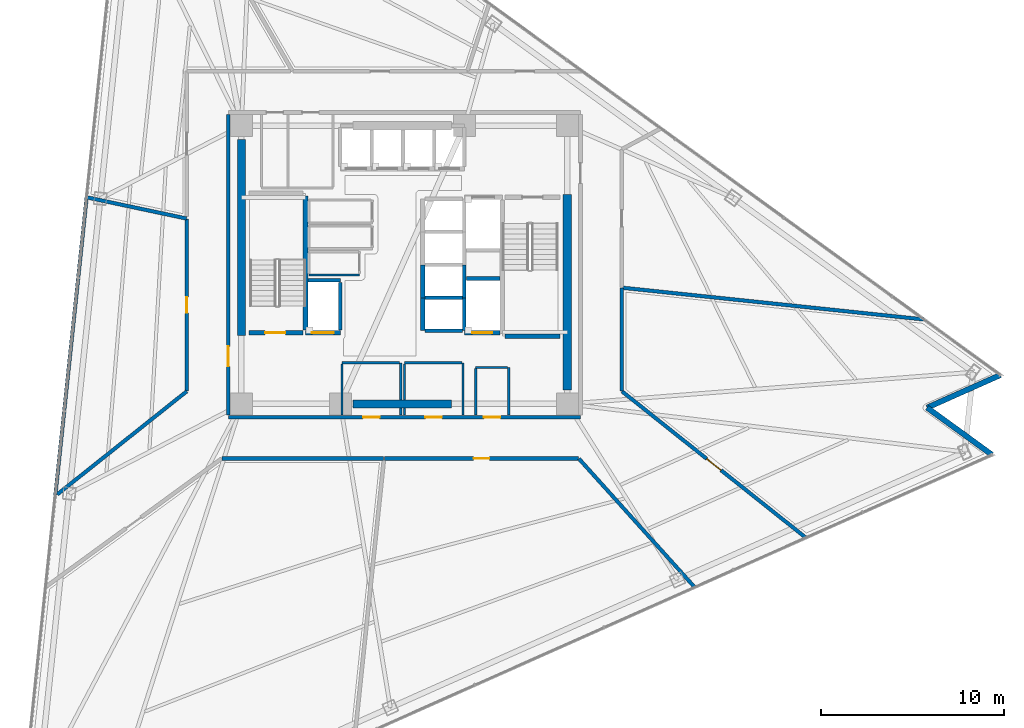
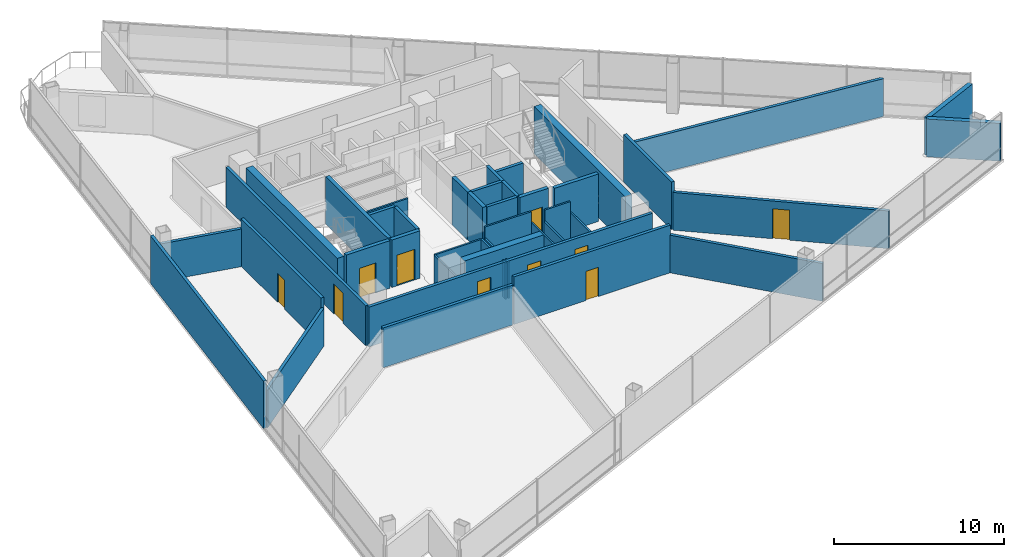
# One storey, part 11 of 19: 43 walls, 10 doors, 10 openings.
"""IFC4 building model written with IfcOpenShell, lengths in metres."""

from ifc_helpers import new_model, si_unit, direction, frame, frame_2d, origin, place, context, subcontext, project, spatial, rectangle, extrude, material, layer, layer_set, type_object, element, fill, save


model = new_model("IFC4")

# Units and contexts
model_context = context("Model", 3, precision=1e-05, world=origin(), true_north=direction((0.0, 1.0)))
body_context = subcontext(model_context, "Body", "Model", "MODEL_VIEW")
ifc_project = project(units=[si_unit("LENGTHUNIT", "METRE"), si_unit("AREAUNIT", "SQUARE_METRE"), si_unit("VOLUMEUNIT", "CUBIC_METRE"), si_unit("PLANEANGLEUNIT", "RADIAN"), si_unit("MASSUNIT", "GRAM", prefix="KILO")], contexts=[model_context])

# Site, building, storey
site_placement = place(None, origin())
site = spatial("IfcSite", under=ifc_project, at=site_placement, CompositionType="ELEMENT")
building_placement = place(site_placement, origin())
building = spatial("IfcBuilding", under=site, at=building_placement, Name="Tharavind Bronze Gate", CompositionType="ELEMENT")
storey_placement = place(building_placement, frame((0.0, 0.0, 126.85009765625)))
storey = spatial("IfcBuildingStorey", under=building, at=storey_placement, Name="L32", CompositionType="ELEMENT", Elevation=126.85009765625)

# Walls
ifc_material_1 = material(Name="Concrete C40/50", Category="concrete")
ifc_layer_1 = layer(ifc_material_1, 0.300048828125)
ifc_layer_set_1 = layer_set([ifc_layer_1], Name="Concrete C40/50")
wall_type_1 = type_object("IfcWallType", Name="EXTERIOR SPANDREL WALL 300", PredefinedType="STANDARD", material=ifc_layer_set_1)
for number, where, z_axis, x_axis, name in (
    (1, (32.099853515625, -10.3759765625, 0.0), (0.0, 0.0, 1.0), (-0.809018008275, 0.587783856777, 0.0), "L32 notch cheek wall 3A"),
    (2, (28.556396484375, -7.801513671875, 0.0), (0.0, 0.0, 1.0), (0.913542411385, 0.406743485013, 0.0), "L32 notch cheek wall 3B"),
):
    element("IfcWall", number, at=place(storey_placement, frame(where, z_axis=z_axis, x_axis=x_axis)), inside=storey, type_object=wall_type_1, Name=name, PredefinedType="STANDARD", context=body_context, shape_type="SweptSolid", body=[
        extrude(rectangle(XDim=4.3798828125, YDim=0.300048828125, at=frame_2d((2.18994140625, 0.0))), origin(), (0.0, 0.0, 1.0), 2.704833984375),
    ])

# Wall, openings, doors
ifc_material_2 = material(Name="Aerated Concrete Block", Category="concrete")
ifc_layer_2 = layer(ifc_material_2, 0.199951171875)
ifc_layer_set_2 = layer_set([ifc_layer_2], Name="Aerated Concrete Block")
wall_type_2 = type_object("IfcWallType", Name="FIRE RATED PARTITION 200", PredefinedType="PARTITIONING", material=ifc_layer_set_2)
wall_1_placement = place(storey_placement, frame((-9.6201171875, -8.320068359375, 0.0), z_axis=(0.0, 0.0, 1.0), x_axis=(1.0, 0.0, 0.0)))
wall_1 = element("IfcWall", 3, at=wall_1_placement, inside=storey, type_object=wall_type_2, Name="L32 south core corridor wall", PredefinedType="PARTITIONING", context=body_context, shape_type="SweptSolid", body=[
    extrude(rectangle(XDim=19.240234375, YDim=0.199951171875, at=frame_2d((9.6201171875, 0.0))), origin(), (0.0, 0.0, 1.0), 2.85498046875),
])
opening_1_placement = place(wall_1_placement, frame((7.3701171875, 0.0, 0.0)))
opening_1 = element("IfcOpeningElement", 4, at=opening_1_placement, cuts=wall_1, Name="Opening ID07", PredefinedType="OPENING", context=body_context, shape_type="SweptSolid", body=[
    extrude(rectangle(XDim=0.89990234375, YDim=2.10009765625, at=frame_2d((0.449951171875, 1.050048828125))), frame((0.0, 0.11009765625, 0.0), z_axis=(0.0, -1.0, 0.0), x_axis=(1.0, 0.0, 0.0)), (0.0, 0.0, 1.0), 0.219951171875),
])
opening_2_placement = place(wall_1_placement, frame((10.77001953125, 0.0, 0.0)))
opening_2 = element("IfcOpeningElement", 5, at=opening_2_placement, cuts=wall_1, Name="Opening ID07", PredefinedType="OPENING", context=body_context, shape_type="SweptSolid", body=[
    extrude(rectangle(XDim=0.89990234375, YDim=2.10009765625, at=frame_2d((0.449951171875, 1.050048828125))), frame((0.0, 0.11009765625, 0.0), z_axis=(0.0, -1.0, 0.0), x_axis=(1.0, 0.0, 0.0)), (0.0, 0.0, 1.0), 0.219951171875),
])
opening_3_placement = place(wall_1_placement, frame((13.969970703125, 0.0, 0.0)))
opening_3 = element("IfcOpeningElement", 6, at=opening_3_placement, cuts=wall_1, Name="Opening ID07", PredefinedType="OPENING", context=body_context, shape_type="SweptSolid", body=[
    extrude(rectangle(XDim=0.89990234375, YDim=2.10009765625, at=frame_2d((0.449951171875, 1.050048828125))), frame((0.0, 0.11009765625, 0.0), z_axis=(0.0, -1.0, 0.0), x_axis=(1.0, 0.0, 0.0)), (0.0, 0.0, 1.0), 0.219951171875),
])
ifc_material_3 = material(Name="Galvanised Fire Steel", Category="steel")
door_type_1 = type_object("IfcDoorType", Name="PLANT AND RISER FIRE DOOR 900X2100", OperationType="SINGLE_SWING_LEFT", PredefinedType="DOOR", material=ifc_material_3)
door_1_placement = place(opening_1_placement, frame((0.89990234375, 0.0, 0.0), z_axis=(0.0, 0.0, 1.0), x_axis=(-1.0, 0.0, 0.0)))
door_1 = element("IfcDoor", 7, at=door_1_placement, inside=storey, type_object=door_type_1, Name="L32 Core Archive Store fire door", OperationType="SINGLE_SWING_LEFT", OverallHeight=2.10009765625, OverallWidth=0.89990234375, PredefinedType="DOOR", context=body_context, shape_type="SweptSolid", body=[
    extrude(rectangle(XDim=0.89990234375, YDim=2.10009765625, at=frame_2d((0.449951171875, 1.050048828125))), frame((0.0, 0.02490234375, 0.0), z_axis=(0.0, -1.0, 0.0), x_axis=(1.0, 0.0, 0.0)), (0.0, 0.0, 1.0), 0.050048828125),
])
fill(opening_1, door_1)
door_2_placement = place(opening_2_placement, frame((0.89990234375, 0.0, 0.0), z_axis=(0.0, 0.0, 1.0), x_axis=(-1.0, 0.0, 0.0)))
door_2 = element("IfcDoor", 8, at=door_2_placement, inside=storey, type_object=door_type_1, Name="L32 Core Server Room fire door", OperationType="SINGLE_SWING_LEFT", OverallHeight=2.10009765625, OverallWidth=0.89990234375, PredefinedType="DOOR", context=body_context, shape_type="SweptSolid", body=[
    extrude(rectangle(XDim=0.89990234375, YDim=2.10009765625, at=frame_2d((0.449951171875, 1.050048828125))), frame((0.0, 0.02490234375, 0.0), z_axis=(0.0, -1.0, 0.0), x_axis=(1.0, 0.0, 0.0)), (0.0, 0.0, 1.0), 0.050048828125),
])
fill(opening_2, door_2)
door_3_placement = place(opening_3_placement, frame((0.89990234375, 0.0, 0.0), z_axis=(0.0, 0.0, 1.0), x_axis=(-1.0, 0.0, 0.0)))
door_3 = element("IfcDoor", 9, at=door_3_placement, inside=storey, type_object=door_type_1, Name="L32 Janitor Store Cupboard fire door", OperationType="SINGLE_SWING_LEFT", OverallHeight=2.10009765625, OverallWidth=0.89990234375, PredefinedType="DOOR", context=body_context, shape_type="SweptSolid", body=[
    extrude(rectangle(XDim=0.89990234375, YDim=2.10009765625, at=frame_2d((0.449951171875, 1.050048828125))), frame((0.0, 0.02490234375, 0.0), z_axis=(0.0, -1.0, 0.0), x_axis=(1.0, 0.0, 0.0)), (0.0, 0.0, 1.0), 0.050048828125),
])
fill(opening_3, door_3)

# Wall, opening, door
wall_2_placement = place(storey_placement, frame((-9.6201171875, 8.199951171875, 0.0), z_axis=(0.0, 0.0, 1.0), x_axis=(0.0, -1.0, 0.0)))
wall_2 = element("IfcWall", 10, at=wall_2_placement, inside=storey, type_object=wall_type_2, Name="L32 west core corridor wall", PredefinedType="PARTITIONING", context=body_context, shape_type="SweptSolid", body=[
    extrude(rectangle(XDim=16.39990234375, YDim=0.199951171875, at=frame_2d((8.199951171875, 0.0))), origin(), (0.0, 0.0, 1.0), 2.85498046875),
])
opening_4_placement = place(wall_2_placement, frame((12.64990234375, 0.0, 0.0)))
opening_4 = element("IfcOpeningElement", 11, at=opening_4_placement, cuts=wall_2, Name="Opening ID01", PredefinedType="OPENING", context=body_context, shape_type="SweptSolid", body=[
    extrude(rectangle(XDim=1.10009765625, YDim=2.14990234375, at=frame_2d((0.550048828125, 1.074951171875))), frame((0.0, 0.11009765625, 0.0), z_axis=(0.0, -1.0, 0.0), x_axis=(1.0, 0.0, 0.0)), (0.0, 0.0, 1.0), 0.219951171875),
])
ifc_material_4 = material(Name="Fire-Rated Steel", Category="steel")
door_type_2 = type_object("IfcDoorType", Name="STAIR CORE FIRE DOOR 1100X2150", OperationType="SINGLE_SWING_LEFT", PredefinedType="DOOR", material=ifc_material_4)
door_4_placement = place(opening_4_placement, frame((1.10009765625, 0.0, 0.0), z_axis=(0.0, 0.0, 1.0), x_axis=(-1.0, 0.0, 0.0)))
door_4 = element("IfcDoor", 12, at=door_4_placement, inside=storey, type_object=door_type_2, Name="L32 south west stair lobby fire door", OperationType="SINGLE_SWING_LEFT", OverallHeight=2.14990234375, OverallWidth=1.10009765625, PredefinedType="DOOR", context=body_context, shape_type="SweptSolid", body=[
    extrude(rectangle(XDim=1.10009765625, YDim=2.14990234375, at=frame_2d((0.550048828125, 1.074951171875))), frame((0.0, 0.02490234375, 0.0), z_axis=(0.0, -1.0, 0.0), x_axis=(1.0, 0.0, 0.0)), (0.0, 0.0, 1.0), 0.050048828125),
])
fill(opening_4, door_4)

# Walls
wall_3_placement = place(storey_placement, frame((-19.066650390625, -12.56982421875, 0.0), z_axis=(0.0, 0.0, 1.0), x_axis=(0.104530607356, 0.994521670013, 0.0)))
element("IfcWall", 13, at=wall_3_placement, inside=storey, type_object=wall_type_2, Name="L32 Public Restrooms Block partition", PredefinedType="PARTITIONING", context=body_context, shape_type="SweptSolid", body=[
    extrude(rectangle(XDim=16.321044921875, YDim=0.199951171875, at=frame_2d((8.16064453125, 0.0))), origin(), (0.0, 0.0, 1.0), 3.409912109375),
])
wall_4_placement = place(storey_placement, frame((-17.33056640625, 3.68359375, 0.0), z_axis=(0.0, 0.0, 1.0), x_axis=(0.978148567961, -0.207907140322, 0.0)))
element("IfcWall", 14, at=wall_4_placement, inside=storey, type_object=wall_type_2, Name="L32 Public Restrooms Block partition", PredefinedType="PARTITIONING", context=body_context, shape_type="SweptSolid", body=[
    extrude(rectangle(XDim=5.552001953125, YDim=0.199951171875, at=frame_2d((2.77587890625, 0.0))), origin(), (0.0, 0.0, 1.0), 2.704833984375),
])

# Wall, opening, door
wall_5_placement = place(storey_placement, frame((-11.8798828125, 2.5048828125, 0.0), z_axis=(0.0, 0.0, 1.0), x_axis=(0.0, -1.0, 0.0)))
wall_5 = element("IfcWall", 15, at=wall_5_placement, inside=storey, type_object=wall_type_2, Name="L32 Public Restrooms Block partition", PredefinedType="PARTITIONING", context=body_context, shape_type="SweptSolid", body=[
    extrude(rectangle(XDim=9.396240234375, YDim=0.199951171875, at=frame_2d((4.6982421875, 0.0))), origin(), (0.0, 0.0, 1.0), 3.409912109375),
])
opening_5_placement = place(wall_5_placement, frame((4.27294921875, 0.0, 0.0)))
opening_5 = element("IfcOpeningElement", 16, at=opening_5_placement, cuts=wall_5, Name="Opening ID06", PredefinedType="OPENING", context=body_context, shape_type="SweptSolid", body=[
    extrude(rectangle(XDim=0.85009765625, YDim=2.10009765625, at=frame_2d((0.425048828125, 1.050048828125))), frame((0.0, 0.11009765625, 0.0), z_axis=(0.0, -1.0, 0.0), x_axis=(1.0, 0.0, 0.0)), (0.0, 0.0, 1.0), 0.219951171875),
])
ifc_material_5 = material(Name="Moisture-Resistant Timber", Category="wood")
door_type_3 = type_object("IfcDoorType", Name="BATHROOM PRIVACY DOOR 850X2100", OperationType="SINGLE_SWING_RIGHT", PredefinedType="DOOR", material=ifc_material_5)
door_5_placement = place(opening_5_placement, origin())
door_5 = element("IfcDoor", 17, at=door_5_placement, inside=storey, type_object=door_type_3, Name="L32 Public Restrooms Block door", OperationType="SINGLE_SWING_RIGHT", OverallHeight=2.10009765625, OverallWidth=0.85009765625, PredefinedType="DOOR", context=body_context, shape_type="SweptSolid", body=[
    extrude(rectangle(XDim=0.85009765625, YDim=2.10009765625, at=frame_2d((0.425048828125, 1.050048828125))), frame((0.0, 0.02490234375, 0.0), z_axis=(0.0, -1.0, 0.0), x_axis=(1.0, 0.0, 0.0)), (0.0, 0.0, 1.0), 0.050048828125),
])
fill(opening_5, door_5)

# Wall
wall_6_placement = place(storey_placement, frame((-11.889404296875, -6.910888671875, 0.0), z_axis=(0.0, 0.0, 1.0), x_axis=(-0.782379877643, -0.622801514979, 0.0)))
element("IfcWall", 18, at=wall_6_placement, inside=storey, type_object=wall_type_2, Name="L32 Public Restrooms Block partition", PredefinedType="PARTITIONING", context=body_context, shape_type="SweptSolid", body=[
    extrude(rectangle(XDim=9.0341796875, YDim=0.199951171875, at=frame_2d((4.51708984375, 0.0))), origin(), (0.0, 0.0, 1.0), 2.704833984375),
])

# Wall, opening, door
wall_7_placement = place(storey_placement, frame((-1.089599609375, -10.580078125, 0.0), z_axis=(0.0, 0.0, 1.0), x_axis=(1.0, 0.0, 0.0)))
wall_7 = element("IfcWall", 19, at=wall_7_placement, inside=storey, type_object=wall_type_2, Name="L32 Public Restrooms Block partition", PredefinedType="PARTITIONING", context=body_context, shape_type="SweptSolid", body=[
    extrude(rectangle(XDim=10.604736328125, YDim=0.199951171875, at=frame_2d((5.30224609375, 0.0))), origin(), (0.0, 0.0, 1.0), 3.409912109375),
])
opening_6_placement = place(wall_7_placement, frame((4.876953125, 0.0, 0.0)))
opening_6 = element("IfcOpeningElement", 20, at=opening_6_placement, cuts=wall_7, Name="Opening ID06", PredefinedType="OPENING", context=body_context, shape_type="SweptSolid", body=[
    extrude(rectangle(XDim=0.85009765625, YDim=2.10009765625, at=frame_2d((0.425048828125, 1.050048828125))), frame((0.0, 0.11009765625, 0.0), z_axis=(0.0, -1.0, 0.0), x_axis=(1.0, 0.0, 0.0)), (0.0, 0.0, 1.0), 0.219951171875),
])
door_6_placement = place(opening_6_placement, origin())
door_6 = element("IfcDoor", 21, at=door_6_placement, inside=storey, type_object=door_type_3, Name="L32 Public Restrooms Block door", OperationType="SINGLE_SWING_RIGHT", OverallHeight=2.10009765625, OverallWidth=0.85009765625, PredefinedType="DOOR", context=body_context, shape_type="SweptSolid", body=[
    extrude(rectangle(XDim=0.85009765625, YDim=2.10009765625, at=frame_2d((0.425048828125, 1.050048828125))), frame((0.0, 0.02490234375, 0.0), z_axis=(0.0, -1.0, 0.0), x_axis=(1.0, 0.0, 0.0)), (0.0, 0.0, 1.0), 0.050048828125),
])
fill(opening_6, door_6)

# Walls
wall_8_placement = place(storey_placement, frame((9.53369140625, -10.58837890625, 0.0), z_axis=(0.0, 0.0, 1.0), x_axis=(0.669143190424, -0.743133494541, 0.0)))
element("IfcWall", 22, at=wall_8_placement, inside=storey, type_object=wall_type_2, Name="L32 Public Restrooms Block partition", PredefinedType="PARTITIONING", context=body_context, shape_type="SweptSolid", body=[
    extrude(rectangle(XDim=9.44677734375, YDim=0.199951171875, at=frame_2d((4.723388671875, 0.0))), origin(), (0.0, 0.0, 1.0), 2.704833984375),
])
wall_9_placement = place(storey_placement, frame((-9.969970703125, -10.580078125, 0.0), z_axis=(0.0, 0.0, 1.0), x_axis=(1.0, 0.0, 0.0)))
element("IfcWall", 23, at=wall_9_placement, inside=storey, type_object=wall_type_2, Name="L32 Operations Open Office partition", PredefinedType="PARTITIONING", context=body_context, shape_type="SweptSolid", body=[
    extrude(rectangle(XDim=8.830078125, YDim=0.199951171875, at=frame_2d((4.4150390625, 0.0))), origin(), (0.0, 0.0, 1.0), 2.85498046875),
])

# Wall, opening, door
wall_10_placement = place(storey_placement, frame((21.930419921875, -14.90380859375, 0.0), z_axis=(0.0, 0.0, 1.0), x_axis=(-0.782382790893, 0.622797855258, 0.0)))
wall_10 = element("IfcWall", 24, at=wall_10_placement, inside=storey, type_object=wall_type_2, Name="L32 Client Advisory Office partition", PredefinedType="PARTITIONING", context=body_context, shape_type="SweptSolid", body=[
    extrude(rectangle(XDim=12.833984375, YDim=0.199951171875, at=frame_2d((6.4169921875, 0.0))), origin(), (0.0, 0.0, 1.0), 2.704833984375),
])
opening_7_placement = place(wall_10_placement, frame((5.9169921875, 0.0, 0.0)))
opening_7 = element("IfcOpeningElement", 25, at=opening_7_placement, cuts=wall_10, Name="Opening ID04", PredefinedType="OPENING", context=body_context, shape_type="SweptSolid", body=[
    extrude(rectangle(XDim=1.0, YDim=2.14990234375, at=frame_2d((0.5, 1.074951171875))), frame((0.0, 0.11009765625, 0.0), z_axis=(0.0, -1.0, 0.0), x_axis=(1.0, 0.0, 0.0)), (0.0, 0.0, 1.0), 0.219951171875),
])
ifc_material_6 = material(Name="Bronze Framed Acoustic Timber", Category="wood")
door_type_4 = type_object("IfcDoorType", Name="OFFICE TENANCY DOOR 1000X2150", OperationType="SINGLE_SWING_RIGHT", PredefinedType="DOOR", material=ifc_material_6)
door_7_placement = place(opening_7_placement, origin())
door_7 = element("IfcDoor", 26, at=door_7_placement, inside=storey, type_object=door_type_4, Name="L32 Client Advisory Office door", OperationType="SINGLE_SWING_RIGHT", OverallHeight=2.14990234375, OverallWidth=1.0, PredefinedType="DOOR", context=body_context, shape_type="SweptSolid", body=[
    extrude(rectangle(XDim=1.0, YDim=2.14990234375, at=frame_2d((0.5, 1.074951171875))), frame((0.0, 0.02490234375, 0.0), z_axis=(0.0, -1.0, 0.0), x_axis=(1.0, 0.0, 0.0)), (0.0, 0.0, 1.0), 0.050048828125),
])
fill(opening_7, door_7)

# Walls
wall_11_placement = place(storey_placement, frame((11.8798828125, -6.891357421875, 0.0), z_axis=(0.0, 0.0, 1.0), x_axis=(0.0, 1.0, 0.0)))
element("IfcWall", 27, at=wall_11_placement, inside=storey, type_object=wall_type_2, Name="L32 Client Advisory Office partition", PredefinedType="PARTITIONING", context=body_context, shape_type="SweptSolid", body=[
    extrude(rectangle(XDim=5.614990234375, YDim=0.199951171875, at=frame_2d((2.8076171875, 0.0))), origin(), (0.0, 0.0, 1.0), 3.409912109375),
])
wall_12_placement = place(storey_placement, frame((11.90771484375, -1.25146484375, 0.0), z_axis=(0.0, 0.0, 1.0), x_axis=(0.994520958229, -0.104537379166, 0.0)))
element("IfcWall", 28, at=wall_12_placement, inside=storey, type_object=wall_type_2, Name="L32 Client Advisory Office partition", PredefinedType="PARTITIONING", context=body_context, shape_type="SweptSolid", body=[
    extrude(rectangle(XDim=16.553466796875, YDim=0.199951171875, at=frame_2d((8.27685546875, 0.0))), origin(), (0.0, 0.0, 1.0), 2.704833984375),
])
ifc_material_7 = material(Name="Metal Stud Gypsum Partition", Category="gypsum")
ifc_layer_3 = layer(ifc_material_7, 0.1201171875)
ifc_layer_set_3 = layer_set([ifc_layer_3], Name="Metal Stud Gypsum Partition")
wall_type_3 = type_object("IfcWallType", Name="INTERIOR PARTITION WALL 120", PredefinedType="PARTITIONING", material=ifc_layer_set_3)
wall_13_placement = place(storey_placement, frame((-5.219970703125, -0.550048828125, 0.0), z_axis=(0.0, 0.0, 1.0), x_axis=(1.0, 0.0, 0.0)))
element("IfcWall", 29, at=wall_13_placement, inside=storey, type_object=wall_type_3, Name="L32 Electrical Metering Store partition 1", PredefinedType="PARTITIONING", context=body_context, shape_type="SweptSolid", body=[
    extrude(rectangle(XDim=2.77001953125, YDim=0.1201171875, at=frame_2d((1.385009765625, 0.0))), origin(), (0.0, 0.0, 1.0), 3.409912109375),
])
wall_14_placement = place(storey_placement, frame((-0.199951171875, -8.215087890625, 0.0), z_axis=(0.0, 0.0, 1.0), x_axis=(0.0, 1.0, 0.0)))
element("IfcWall", 30, at=wall_14_placement, inside=storey, type_object=wall_type_3, Name="L32 Core Archive Store partition 2", PredefinedType="PARTITIONING", context=body_context, shape_type="SweptSolid", body=[
    extrude(rectangle(XDim=0.385009765625, YDim=0.1201171875, at=frame_2d((0.1923828125, 0.0))), origin(), (0.0, 0.0, 1.0), 2.60498046875),
])
wall_15_placement = place(storey_placement, frame((-0.199951171875, -7.3701171875, 0.0), z_axis=(0.0, 0.0, 1.0), x_axis=(0.0, 1.0, 0.0)))
element("IfcWall", 31, at=wall_15_placement, inside=storey, type_object=wall_type_3, Name="L32 Core Archive Store partition 2", PredefinedType="PARTITIONING", context=body_context, shape_type="SweptSolid", body=[
    extrude(rectangle(XDim=2.02001953125, YDim=0.1201171875, at=frame_2d((1.010009765625, 0.0))), origin(), (0.0, 0.0, 1.0), 2.60498046875),
])
wall_16_placement = place(storey_placement, frame((-0.264892578125, -5.35009765625, 0.0), z_axis=(0.0, 0.0, 1.0), x_axis=(-1.0, 0.0, 0.0)))
element("IfcWall", 32, at=wall_16_placement, inside=storey, type_object=wall_type_3, Name="L32 Core Archive Store partition 3", PredefinedType="PARTITIONING", context=body_context, shape_type="SweptSolid", body=[
    extrude(rectangle(XDim=3.135009765625, YDim=0.1201171875, at=frame_2d((1.5673828125, 0.0))), origin(), (0.0, 0.0, 1.0), 2.60498046875),
])
wall_17_placement = place(storey_placement, frame((-3.39990234375, -5.4150390625, 0.0), z_axis=(0.0, 0.0, 1.0), x_axis=(0.0, -1.0, 0.0)))
element("IfcWall", 33, at=wall_17_placement, inside=storey, type_object=wall_type_3, Name="L32 Core Archive Store partition 4", PredefinedType="PARTITIONING", context=body_context, shape_type="SweptSolid", body=[
    extrude(rectangle(XDim=2.800048828125, YDim=0.1201171875, at=frame_2d((1.39990234375, 0.0))), origin(), (0.0, 0.0, 1.0), 2.60498046875),
])
wall_18_placement = place(storey_placement, frame((3.199951171875, -8.215087890625, 0.0), z_axis=(0.0, 0.0, 1.0), x_axis=(0.0, 1.0, 0.0)))
element("IfcWall", 34, at=wall_18_placement, inside=storey, type_object=wall_type_3, Name="L32 Core Server Room partition 2", PredefinedType="PARTITIONING", context=body_context, shape_type="SweptSolid", body=[
    extrude(rectangle(XDim=2.864990234375, YDim=0.1201171875, at=frame_2d((1.4326171875, 0.0))), origin(), (0.0, 0.0, 1.0), 2.60498046875),
])
wall_19_placement = place(storey_placement, frame((3.135009765625, -5.35009765625, 0.0), z_axis=(0.0, 0.0, 1.0), x_axis=(-1.0, 0.0, 0.0)))
element("IfcWall", 35, at=wall_19_placement, inside=storey, type_object=wall_type_3, Name="L32 Core Server Room partition 3", PredefinedType="PARTITIONING", context=body_context, shape_type="SweptSolid", body=[
    extrude(rectangle(XDim=3.135009765625, YDim=0.1201171875, at=frame_2d((1.5673828125, 0.0))), origin(), (0.0, 0.0, 1.0), 3.409912109375),
])
wall_20_placement = place(storey_placement, frame((0.0, -5.4150390625, 0.0), z_axis=(0.0, 0.0, 1.0), x_axis=(0.0, -1.0, 0.0)))
element("IfcWall", 36, at=wall_20_placement, inside=storey, type_object=wall_type_3, Name="L32 Core Server Room partition 4", PredefinedType="PARTITIONING", context=body_context, shape_type="SweptSolid", body=[
    extrude(rectangle(XDim=1.955078125, YDim=0.1201171875, at=frame_2d((0.9775390625, 0.0))), origin(), (0.0, 0.0, 1.0), 2.60498046875),
])
wall_21_placement = place(storey_placement, frame((0.0, -7.830078125, 0.0), z_axis=(0.0, 0.0, 1.0), x_axis=(0.0, -1.0, 0.0)))
element("IfcWall", 37, at=wall_21_placement, inside=storey, type_object=wall_type_3, Name="L32 Core Server Room partition 4", PredefinedType="PARTITIONING", context=body_context, shape_type="SweptSolid", body=[
    extrude(rectangle(XDim=0.385009765625, YDim=0.1201171875, at=frame_2d((0.1923828125, 0.0))), origin(), (0.0, 0.0, 1.0), 2.60498046875),
])
wall_22_placement = place(storey_placement, frame((5.699951171875, -8.215087890625, 0.0), z_axis=(0.0, 0.0, 1.0), x_axis=(0.0, 1.0, 0.0)))
element("IfcWall", 38, at=wall_22_placement, inside=storey, type_object=wall_type_3, Name="L32 Janitor Store Cupboard partition 2", PredefinedType="PARTITIONING", context=body_context, shape_type="SweptSolid", body=[
    extrude(rectangle(XDim=2.614990234375, YDim=0.1201171875, at=frame_2d((1.3076171875, 0.0))), origin(), (0.0, 0.0, 1.0), 2.60498046875),
])
wall_23_placement = place(storey_placement, frame((5.635009765625, -5.60009765625, 0.0), z_axis=(0.0, 0.0, 1.0), x_axis=(-1.0, 0.0, 0.0)))
element("IfcWall", 39, at=wall_23_placement, inside=storey, type_object=wall_type_3, Name="L32 Janitor Store Cupboard partition 3", PredefinedType="PARTITIONING", context=body_context, shape_type="SweptSolid", body=[
    extrude(rectangle(XDim=1.735107421875, YDim=0.1201171875, at=frame_2d((0.86767578125, 0.0))), origin(), (0.0, 0.0, 1.0), 3.409912109375),
])
wall_24_placement = place(storey_placement, frame((3.89990234375, -5.6650390625, 0.0), z_axis=(0.0, 0.0, 1.0), x_axis=(0.0, -1.0, 0.0)))
element("IfcWall", 40, at=wall_24_placement, inside=storey, type_object=wall_type_3, Name="L32 Janitor Store Cupboard partition 4", PredefinedType="PARTITIONING", context=body_context, shape_type="SweptSolid", body=[
    extrude(rectangle(XDim=2.550048828125, YDim=0.1201171875, at=frame_2d((1.27490234375, 0.0))), origin(), (0.0, 0.0, 1.0), 2.60498046875),
])
ifc_material_8 = material(Name="Concrete C50/60", Category="concrete")
ifc_layer_4 = layer(ifc_material_8, 0.25)
ifc_layer_set_4 = layer_set([ifc_layer_4], Name="Concrete C50/60")
wall_type_4 = type_object("IfcWallType", Name="RC CORE SHEAR WALL 250", PredefinedType="SHEAR", material=ifc_layer_set_4)
wall_25_placement = place(storey_placement, frame((-5.39990234375, -3.550048828125, 0.0), z_axis=(0.0, 0.0, 1.0), x_axis=(0.0, 1.0, 0.0)))
element("IfcWall", 41, at=wall_25_placement, inside=storey, type_object=wall_type_4, Name="L32 ST1 shaft east wall", PredefinedType="SHEAR", context=body_context, shape_type="SweptSolid", body=[
    extrude(rectangle(XDim=7.300048828125, YDim=0.25, at=frame_2d((3.64990234375, 0.0))), origin(), (0.0, 0.0, 1.0), 3.409912109375),
])

# Wall, opening, door
wall_26_placement = place(storey_placement, frame((-8.5, -3.699951171875, 0.0), z_axis=(0.0, 0.0, 1.0), x_axis=(1.0, 0.0, 0.0)))
wall_26 = element("IfcWall", 42, at=wall_26_placement, inside=storey, type_object=wall_type_4, Name="L32 ST1 shaft south wall", PredefinedType="SHEAR", context=body_context, shape_type="SweptSolid", body=[
    extrude(rectangle(XDim=2.949951171875, YDim=0.25, at=frame_2d((1.47509765625, 0.0))), origin(), (0.0, 0.0, 1.0), 3.409912109375),
])
opening_8_placement = place(wall_26_placement, frame((0.89990234375, 0.0, 0.0)))
opening_8 = element("IfcOpeningElement", 43, at=opening_8_placement, cuts=wall_26, Name="Opening ID01", PredefinedType="OPENING", context=body_context, shape_type="SweptSolid", body=[
    extrude(rectangle(XDim=1.10009765625, YDim=2.14990234375, at=frame_2d((0.550048828125, 1.074951171875))), frame((0.0, 0.135, 0.0), z_axis=(0.0, -1.0, 0.0), x_axis=(1.0, 0.0, 0.0)), (0.0, 0.0, 1.0), 0.27),
])
door_8_placement = place(opening_8_placement, origin())
door_8 = element("IfcDoor", 44, at=door_8_placement, inside=storey, type_object=door_type_2, Name="L32 exit stair ST1 fire door", OperationType="SINGLE_SWING_LEFT", OverallHeight=2.14990234375, OverallWidth=1.10009765625, PredefinedType="DOOR", context=body_context, shape_type="SweptSolid", body=[
    extrude(rectangle(XDim=1.10009765625, YDim=2.14990234375, at=frame_2d((0.550048828125, 1.074951171875))), frame((0.0, 0.02490234375, 0.0), z_axis=(0.0, -1.0, 0.0), x_axis=(1.0, 0.0, 0.0)), (0.0, 0.0, 1.0), 0.050048828125),
])
fill(opening_8, door_8)

# Walls
wall_27_placement = place(storey_placement, frame((5.5, -3.89990234375, 0.0), z_axis=(0.0, 0.0, 1.0), x_axis=(1.0, 0.0, 0.0)))
element("IfcWall", 45, at=wall_27_placement, inside=storey, type_object=wall_type_4, Name="L32 ST2 shaft south wall", PredefinedType="SHEAR", context=body_context, shape_type="SweptSolid", body=[
    extrude(rectangle(XDim=3.0, YDim=0.25, at=frame_2d((1.5, 0.0))), origin(), (0.0, 0.0, 1.0), 3.409912109375),
])
for number, where, z_axis, x_axis, name in (
    (46, (1.0, -3.60009765625, 0.0), (0.0, 0.0, 1.0), (0.0, 1.0, 0.0), "L32 lift PL9 shaft front wall"),
    (47, (1.0, -1.800048828125, 0.0), (0.0, 0.0, 1.0), (0.0, 1.0, 0.0), "L32 lift PL10 shaft front wall"),
):
    element("IfcWall", number, at=place(storey_placement, frame(where, z_axis=z_axis, x_axis=x_axis)), inside=storey, type_object=wall_type_4, Name=name, PredefinedType="SHEAR", context=body_context, shape_type="SweptSolid", body=[
        extrude(rectangle(XDim=1.800048828125, YDim=0.25, at=frame_2d((0.89990234375, 0.0))), origin(), (0.0, 0.0, 1.0), 3.409912109375),
    ])

# Wall, opening, door
wall_28_placement = place(storey_placement, frame((-5.39990234375, -3.699951171875, 0.0), z_axis=(0.0, 0.0, 1.0), x_axis=(1.0, 0.0, 0.0)))
wall_28 = element("IfcWall", 48, at=wall_28_placement, inside=storey, type_object=wall_type_4, Name="L32 lift FFL1 shaft front wall", PredefinedType="SHEAR", context=body_context, shape_type="SweptSolid", body=[
    extrude(rectangle(XDim=1.89990234375, YDim=0.25, at=frame_2d((0.949951171875, 0.0))), origin(), (0.0, 0.0, 1.0), 3.409912109375),
])
opening_9_placement = place(wall_28_placement, frame((0.35009765625, 0.0, 0.0)))
opening_9 = element("IfcOpeningElement", 49, at=opening_9_placement, cuts=wall_28, Name="Opening LD02", PredefinedType="OPENING", context=body_context, shape_type="SweptSolid", body=[
    extrude(rectangle(XDim=1.199951171875, YDim=2.199951171875, at=frame_2d((0.60009765625, 1.10009765625))), frame((0.0, 0.135, 0.0), z_axis=(0.0, -1.0, 0.0), x_axis=(1.0, 0.0, 0.0)), (0.0, 0.0, 1.0), 0.27),
])
ifc_material_9 = material(Name="Brushed Stainless Steel", Category="steel")
door_type_5 = type_object("IfcDoorType", Name="FIREFIGHTING LIFT LANDING DOOR 1200X2200", OperationType="SLIDING_TO_RIGHT", PredefinedType="DOOR", material=ifc_material_9)
door_9_placement = place(opening_9_placement, origin())
door_9 = element("IfcDoor", 50, at=door_9_placement, inside=storey, type_object=door_type_5, Name="L32 lift FFL1 sliding landing door", OperationType="SLIDING_TO_RIGHT", OverallHeight=2.199951171875, OverallWidth=1.199951171875, PredefinedType="DOOR", context=body_context, shape_type="SweptSolid", body=[
    extrude(rectangle(XDim=1.199951171875, YDim=2.199951171875, at=frame_2d((0.60009765625, 1.10009765625))), frame((0.0, 0.02490234375, 0.0), z_axis=(0.0, -1.0, 0.0), x_axis=(1.0, 0.0, 0.0)), (0.0, 0.0, 1.0), 0.050048828125),
])
fill(opening_9, door_9)

wall_29_placement = place(storey_placement, frame((3.280029296875, -3.699951171875, 0.0), z_axis=(0.0, 0.0, 1.0), x_axis=(1.0, 0.0, 0.0)))
wall_29 = element("IfcWall", 51, at=wall_29_placement, inside=storey, type_object=wall_type_4, Name="L32 lift SVL1 shaft front wall", PredefinedType="SHEAR", context=body_context, shape_type="SweptSolid", body=[
    extrude(rectangle(XDim=1.93994140625, YDim=0.25, at=frame_2d((0.969970703125, 0.0))), origin(), (0.0, 0.0, 1.0), 3.409912109375),
])
opening_10_placement = place(wall_29_placement, frame((0.419921875, 0.0, 0.0)))
opening_10 = element("IfcOpeningElement", 52, at=opening_10_placement, cuts=wall_29, Name="Opening LD01", PredefinedType="OPENING", context=body_context, shape_type="SweptSolid", body=[
    extrude(rectangle(XDim=1.10009765625, YDim=2.199951171875, at=frame_2d((0.550048828125, 1.10009765625))), frame((0.0, 0.135, 0.0), z_axis=(0.0, -1.0, 0.0), x_axis=(1.0, 0.0, 0.0)), (0.0, 0.0, 1.0), 0.27),
])
ifc_material_10 = material(Name="Brushed Bronze Stainless Steel", Category="steel")
door_type_6 = type_object("IfcDoorType", Name="LIFT LANDING SLIDING DOOR 1100X2200", OperationType="SLIDING_TO_LEFT", PredefinedType="DOOR", material=ifc_material_10)
door_10_placement = place(opening_10_placement, origin())
door_10 = element("IfcDoor", 53, at=door_10_placement, inside=storey, type_object=door_type_6, Name="L32 lift SVL1 sliding landing door", OperationType="SLIDING_TO_LEFT", OverallHeight=2.199951171875, OverallWidth=1.10009765625, PredefinedType="DOOR", context=body_context, shape_type="SweptSolid", body=[
    extrude(rectangle(XDim=1.10009765625, YDim=2.199951171875, at=frame_2d((0.550048828125, 1.10009765625))), frame((0.0, 0.02490234375, 0.0), z_axis=(0.0, -1.0, 0.0), x_axis=(1.0, 0.0, 0.0)), (0.0, 0.0, 1.0), 0.050048828125),
])
fill(opening_10, door_10)

# Walls
ifc_material_11 = material(Name="Concrete C60/75", Category="concrete")
ifc_layer_5 = layer(ifc_material_11, 0.449951171875)
ifc_layer_set_5 = layer_set([ifc_layer_5], Name="Concrete C60/75")
wall_type_5 = type_object("IfcWallType", Name="RC CORE SHEAR WALL 450", PredefinedType="SHEAR", material=ifc_layer_set_5)
wall_30_placement = place(storey_placement, frame((-2.800048828125, -7.60009765625, 0.0), z_axis=(0.0, 0.0, 1.0), x_axis=(1.0, 0.0, 0.0)))
element("IfcWall", 54, at=wall_30_placement, inside=storey, type_object=wall_type_5, Name="L32 south core shear wall", PredefinedType="SHEAR", context=body_context, shape_type="SweptSolid", body=[
    extrude(rectangle(XDim=5.380126953125, YDim=0.449951171875, at=frame_2d((2.68994140625, 0.0))), origin(), (0.0, 0.0, 1.0), 3.409912109375),
])
for number, where, z_axis, x_axis, name in (
    (55, (-8.89990234375, -3.85009765625, 0.0), (0.0, 0.0, 1.0), (0.0, 1.0, 0.0), "L32 west core shear wall"),
    (56, (8.89990234375, -6.85009765625, 0.0), (0.0, 0.0, 1.0), (0.0, 1.0, 0.0), "L32 east core shear wall"),
):
    element("IfcWall", number, at=place(storey_placement, frame(where, z_axis=z_axis, x_axis=x_axis)), inside=storey, type_object=wall_type_5, Name=name, PredefinedType="SHEAR", context=body_context, shape_type="SweptSolid", body=[
        extrude(rectangle(XDim=10.7001953125, YDim=0.449951171875, at=frame_2d((5.35009765625, 0.0))), origin(), (0.0, 0.0, 1.0), 3.409912109375),
    ])
ifc_layer_6 = layer(ifc_material_1, 0.199951171875)
ifc_layer_set_6 = layer_set([ifc_layer_6], Name="Concrete C40/50")
wall_type_6 = type_object("IfcWallType", Name="SHAFT ENCLOSURE WALL 200", PredefinedType="PARTITIONING", material=ifc_layer_set_6)
wall_31_placement = place(storey_placement, frame((3.280029296875, -3.60009765625, 0.0), z_axis=(0.0, 0.0, 1.0), x_axis=(0.0, 1.0, 0.0)))
element("IfcWall", 57, at=wall_31_placement, inside=storey, type_object=wall_type_6, Name="L32 lift PL9 shaft E enclosure wall", PredefinedType="PARTITIONING", context=body_context, shape_type="SweptSolid", body=[
    extrude(rectangle(XDim=1.800048828125, YDim=0.199951171875, at=frame_2d((0.89990234375, 0.0))), origin(), (0.0, 0.0, 1.0), 3.409912109375),
])
for number, where, z_axis, x_axis, name in (
    (58, (1.1298828125, -3.60009765625, 0.0), (0.0, 0.0, 1.0), (1.0, 0.0, 0.0), "L32 lift PL9 shaft S enclosure wall"),
    (59, (1.1298828125, -1.800048828125, 0.0), (0.0, 0.0, 1.0), (1.0, 0.0, 0.0), "L32 lift PL9 shaft N enclosure wall"),
):
    element("IfcWall", number, at=place(storey_placement, frame(where, z_axis=z_axis, x_axis=x_axis)), inside=storey, type_object=wall_type_6, Name=name, PredefinedType="PARTITIONING", context=body_context, shape_type="SweptSolid", body=[
        extrude(rectangle(XDim=2.045166015625, YDim=0.199951171875, at=frame_2d((1.0224609375, 0.0))), origin(), (0.0, 0.0, 1.0), 3.409912109375),
    ])
wall_32_placement = place(storey_placement, frame((3.280029296875, -1.800048828125, 0.0), z_axis=(0.0, 0.0, 1.0), x_axis=(0.0, 1.0, 0.0)))
element("IfcWall", 60, at=wall_32_placement, inside=storey, type_object=wall_type_6, Name="L32 lift PL10 shaft E enclosure wall", PredefinedType="PARTITIONING", context=body_context, shape_type="SweptSolid", body=[
    extrude(rectangle(XDim=1.800048828125, YDim=0.199951171875, at=frame_2d((0.89990234375, 0.0))), origin(), (0.0, 0.0, 1.0), 3.409912109375),
])
wall_33_placement = place(storey_placement, frame((-5.27001953125, -0.85009765625, 0.0), z_axis=(0.0, 0.0, 1.0), x_axis=(1.0, 0.0, 0.0)))
element("IfcWall", 61, at=wall_33_placement, inside=storey, type_object=wall_type_6, Name="L32 lift FFL1 shaft N enclosure wall", PredefinedType="PARTITIONING", context=body_context, shape_type="SweptSolid", body=[
    extrude(rectangle(XDim=1.77001953125, YDim=0.199951171875, at=frame_2d((0.885009765625, 0.0))), origin(), (0.0, 0.0, 1.0), 3.409912109375),
])
wall_34_placement = place(storey_placement, frame((-3.5, -3.570068359375, 0.0), z_axis=(0.0, 0.0, 1.0), x_axis=(0.0, 1.0, 0.0)))
element("IfcWall", 62, at=wall_34_placement, inside=storey, type_object=wall_type_6, Name="L32 lift FFL1 shaft E enclosure wall", PredefinedType="PARTITIONING", context=body_context, shape_type="SweptSolid", body=[
    extrude(rectangle(XDim=2.614990234375, YDim=0.199951171875, at=frame_2d((1.3076171875, 0.0))), origin(), (0.0, 0.0, 1.0), 3.409912109375),
])
wall_35_placement = place(storey_placement, frame((3.385009765625, -0.75, 0.0), z_axis=(0.0, 0.0, 1.0), x_axis=(1.0, 0.0, 0.0)))
element("IfcWall", 63, at=wall_35_placement, inside=storey, type_object=wall_type_6, Name="L32 lift SVL1 shaft N enclosure wall", PredefinedType="PARTITIONING", context=body_context, shape_type="SweptSolid", body=[
    extrude(rectangle(XDim=1.8349609375, YDim=0.199951171875, at=frame_2d((0.91748046875, 0.0))), origin(), (0.0, 0.0, 1.0), 3.409912109375),
])

save(model, "model.ifc")
